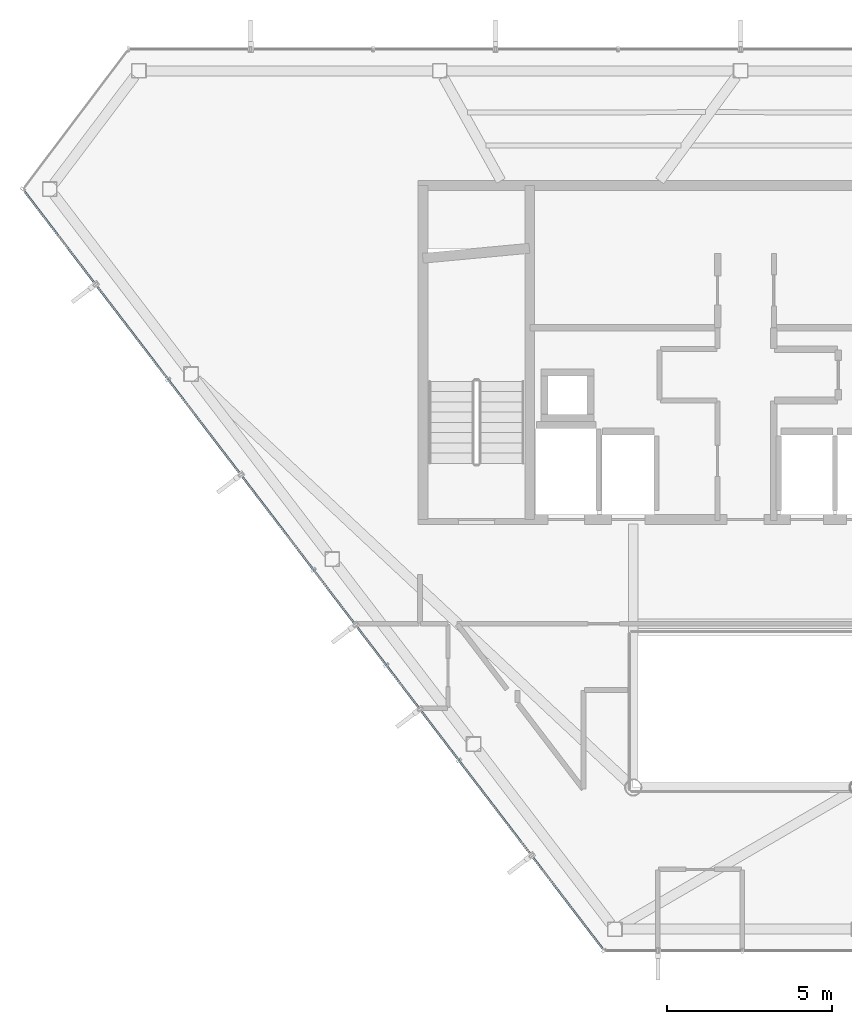
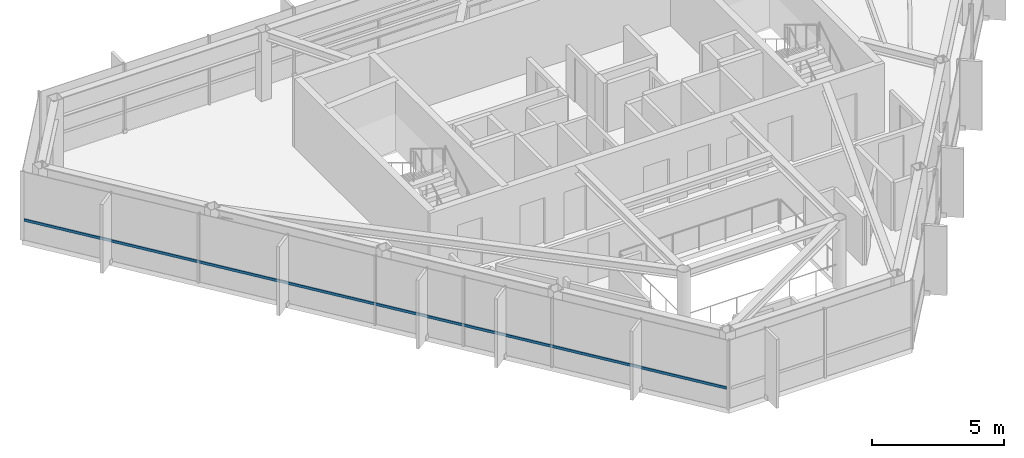
# One storey, part 4 of 22: 1 member, 1 element without a shape of its own.
"""IFC4 building model written with IfcOpenShell, lengths in metres."""

import ifcopenshell
import ifcopenshell.guid

model = None  # the IFC model being written
_history = None  # IfcOwnerHistory: only IFC2X3 demands one
_inside = {}  # id of a spatial element -> (the spatial element, [elements in it])
_under = {}  # id of a project, library or spatial element -> (it, [spatial elements below it])
_declared = {}  # id of a project -> (the project, [libraries it declares])
_typed = {}  # id of a type object -> (the type object, [elements of that type])
_made_of = {}  # id of a material, layer set ... -> (it, [elements and type objects made of it])


def new_model(schema):
    """Start an empty IFC model of exactly this schema.

    Asked for "IFC4X3", IfcOpenShell would pick the latest addendum, in which some entities
    have other attributes; the version numbers below select the first issue.
    IFC2X3 requires an IfcOwnerHistory on every rooted entity: one is made here for all.
    """
    global model, _history
    if schema == "IFC4X3":
        model = ifcopenshell.file(schema_version=(4, 3, 0, 0))
    else:
        model = ifcopenshell.file(schema=schema)
    _inside.clear()
    _under.clear()
    _declared.clear()
    _typed.clear()
    _made_of.clear()
    _history = None
    if model.schema == "IFC2X3":
        org = make("IfcOrganization", Name="unknown")
        user = make(
            "IfcPersonAndOrganization",
            ThePerson=make("IfcPerson", FamilyName="unknown"),
            TheOrganization=org,
        )
        app = make(
            "IfcApplication",
            ApplicationDeveloper=org,
            Version="unknown",
            ApplicationFullName="unknown",
            ApplicationIdentifier="unknown",
        )
        _history = make(
            "IfcOwnerHistory",
            OwningUser=user,
            OwningApplication=app,
            ChangeAction="ADDED",
            CreationDate=0,
        )
    return model


def make(cls, **values):
    """One entity of the class cls with the attributes given. An attribute that is None is left unset."""
    return model.create_entity(
        cls, **{name: value for name, value in values.items() if value is not None}
    )


def rooted(cls, **values):
    """An entity with a GlobalId (a new one), such as an element, a storey or a relation."""
    return make(cls, GlobalId=ifcopenshell.guid.new(), OwnerHistory=_history, **values)


def si_unit(unit_type, name, prefix=None):
    """IfcSIUnit, for example si_unit("LENGTHUNIT", "METRE", prefix="MILLI")."""
    return make("IfcSIUnit", UnitType=unit_type, Prefix=prefix, Name=name)


def assignment(units):
    """IfcUnitAssignment: the units of a project."""
    return None if units is None else make("IfcUnitAssignment", Units=units)


def point(xyz):
    """IfcCartesianPoint."""
    return None if xyz is None else make("IfcCartesianPoint", Coordinates=xyz)


def direction(xyz):
    """IfcDirection."""
    return None if xyz is None else make("IfcDirection", DirectionRatios=xyz)


def frame(location, z_axis=None, x_axis=None):
    """IfcAxis2Placement3D, a coordinate frame: its origin and axes. An axis left out is left unset."""
    return make(
        "IfcAxis2Placement3D",
        Location=point(location),
        Axis=direction(z_axis),
        RefDirection=direction(x_axis),
    )


def frame_2d(location, x_axis=None):
    """IfcAxis2Placement2D, a coordinate frame in the plane: its origin and x axis."""
    return make(
        "IfcAxis2Placement2D", Location=point(location), RefDirection=direction(x_axis)
    )


def origin():
    """The frame at (0, 0, 0) with its axes left unset."""
    return frame((0.0, 0.0, 0.0))


def origin_2d():
    """The frame at (0, 0) in the plane with its x axis left unset."""
    return frame_2d((0.0, 0.0))


def place(relative_to, where):
    """IfcLocalPlacement: puts the frame where relative to a parent placement (None: the world)."""
    return make(
        "IfcLocalPlacement", PlacementRelTo=relative_to, RelativePlacement=where
    )


def context(
    kind, dimensions, precision=None, world=None, true_north=None, identifier=None
):
    """IfcGeometricRepresentationContext, for example the 3D "Model" context."""
    return make(
        "IfcGeometricRepresentationContext",
        ContextIdentifier=identifier,
        ContextType=kind,
        CoordinateSpaceDimension=dimensions,
        Precision=precision,
        WorldCoordinateSystem=world,
        TrueNorth=true_north,
    )


def subcontext(parent, identifier, kind, view, scale=None):
    """IfcGeometricRepresentationSubContext, for example "Body" below "Model"."""
    return make(
        "IfcGeometricRepresentationSubContext",
        ContextIdentifier=identifier,
        ContextType=kind,
        ParentContext=parent,
        TargetScale=scale,
        TargetView=view,
    )


def project(units=None, contexts=None):
    """IfcProject with its units and contexts."""
    return rooted(
        "IfcProject",
        Name="project",
        RepresentationContexts=contexts,
        UnitsInContext=assignment(units),
    )


def spatial(cls, under=None, at=None, **own):
    """A site, building, storey or space (cls), placed at a placement, below another one or the project."""
    s = rooted(cls, ObjectPlacement=at, **own)
    if under is not None:
        _under.setdefault(under.id(), (under, []))[1].append(s)
    return s


def profile(cls, at=None, kind="AREA", **sizes):
    """A parametric profile (cls). Its sizes go by their IFC names, for example OverallWidth=200.0."""
    return make(cls, ProfileType=kind, Position=at, **sizes)


def hollow_rectangle(**sizes):
    """IfcRectangleHollowProfileDef."""
    return profile("IfcRectangleHollowProfileDef", **sizes)


def extrude(swept, where, along, depth):
    """IfcExtrudedAreaSolid: the profile swept, set in the frame where, extruded along a direction by depth."""
    return make(
        "IfcExtrudedAreaSolid",
        SweptArea=swept,
        Position=where,
        ExtrudedDirection=direction(along),
        Depth=depth,
    )


def shape(context_of_items, identifier, shape_type, items):
    """IfcShapeRepresentation: the items that make up one representation, for example the "Body"."""
    return make(
        "IfcShapeRepresentation",
        ContextOfItems=context_of_items,
        RepresentationIdentifier=identifier,
        RepresentationType=shape_type,
        Items=items,
    )


def material(Name=None, Category=None):
    """IfcMaterial."""
    return make("IfcMaterial", Name=Name, Category=Category)


def layer(
    of_material, thickness, ventilated=None, Name=None, Category=None, Priority=None
):
    """IfcMaterialLayer: one layer of a wall or slab, of a material (None: an air gap)."""
    return make(
        "IfcMaterialLayer",
        Material=of_material,
        LayerThickness=thickness,
        IsVentilated=ventilated,
        Name=Name,
        Category=Category,
        Priority=Priority,
    )


def layer_set(layers, Name=None):
    """IfcMaterialLayerSet."""
    return make("IfcMaterialLayerSet", MaterialLayers=layers, LayerSetName=Name)


def material_profile(
    of_material, cross_section, Name=None, Category=None, Priority=None
):
    """IfcMaterialProfile: a cross section and its material."""
    return make(
        "IfcMaterialProfile",
        Name=Name,
        Material=of_material,
        Profile=cross_section,
        Priority=Priority,
        Category=Category,
    )


def profile_set(profiles, Name=None, composite=None):
    """IfcMaterialProfileSet."""
    return make(
        "IfcMaterialProfileSet",
        Name=Name,
        MaterialProfiles=profiles,
        CompositeProfile=composite,
    )


def made_of(thing, what):
    """Note that an element or type object is made of a material, layer set ...; save() writes the relation."""
    if what is not None:
        _made_of.setdefault(what.id(), (what, []))[1].append(thing)
    return thing


def type_object(cls, material=None, **own):
    """A type object (cls), such as IfcWallType, which elements share."""
    return made_of(rooted(cls, **own), material)


def element(
    cls,
    number,
    at=None,
    inside=None,
    cuts=None,
    type_object=None,
    material=None,
    context=None,
    identifier="Body",
    shape_type=None,
    held_by="IfcProductDefinitionShape",
    body=None,
    shapes=None,
    **own,
):
    """One element of the class cls, such as IfcWall. Its Tag is "e" and its number.

    at: its placement. inside: the storey or other place that contains it. cuts: it is an
    opening in that element (IfcRelVoidsElement). A single representation is given by context,
    identifier, shape_type and body (its items); several are given by shapes. held_by: the class
    of the entity that holds the representations. save() writes the other relations.
    """
    e = rooted(cls, Tag="e%d" % number, ObjectPlacement=at, **own)
    if body is not None:
        shapes = [shape(context, identifier, shape_type, body)]
    if shapes is not None:
        e.Representation = make(held_by, Representations=shapes)
    if inside is not None:
        _inside.setdefault(inside.id(), (inside, []))[1].append(e)
    if cuts is not None:
        rooted(
            "IfcRelVoidsElement", RelatingBuildingElement=cuts, RelatedOpeningElement=e
        )
    if type_object is not None:
        _typed.setdefault(type_object.id(), (type_object, []))[1].append(e)
    return made_of(e, material)


def aggregate(whole, parts):
    """IfcRelAggregates: a whole, such as a stair, and the parts it consists of."""
    return rooted("IfcRelAggregates", RelatingObject=whole, RelatedObjects=parts)


def save(model, path):
    """Write the relations noted so far, then the file.

    IfcRelAggregates (storeys below a building ...), IfcRelContainedInSpatialStructure (elements
    in a storey), IfcRelDefinesByType, IfcRelAssociatesMaterial and IfcRelDeclares: one each for
    every whole, place, type object, material and project.
    """
    for whole, parts in _under.values():
        aggregate(whole, parts)
    for where, things in _inside.values():
        rooted(
            "IfcRelContainedInSpatialStructure",
            RelatedElements=things,
            RelatingStructure=where,
        )
    for kind, things in _typed.values():
        rooted("IfcRelDefinesByType", RelatedObjects=things, RelatingType=kind)
    for what, things in _made_of.values():
        rooted("IfcRelAssociatesMaterial", RelatedObjects=things, RelatingMaterial=what)
    for by, libraries in _declared.values():
        rooted("IfcRelDeclares", RelatingContext=by, RelatedDefinitions=libraries)
    model.write(path)


model = new_model("IFC4")

# Units and contexts
model_context = context("Model", 3, precision=1e-05, world=origin(), true_north=direction((0.0, 1.0)))
body_context = subcontext(model_context, "Body", "Model", "MODEL_VIEW")
ifc_project = project(units=[si_unit("LENGTHUNIT", "METRE"), si_unit("AREAUNIT", "SQUARE_METRE"), si_unit("VOLUMEUNIT", "CUBIC_METRE"), si_unit("PLANEANGLEUNIT", "RADIAN"), si_unit("MASSUNIT", "GRAM", prefix="KILO")], contexts=[model_context])

# Site, building, storey
site_placement = place(None, origin())
site = spatial("IfcSite", under=ifc_project, at=site_placement, CompositionType="ELEMENT")
building_placement = place(site_placement, origin())
building = spatial("IfcBuilding", under=site, at=building_placement, Name="Zarrinselat Tower", CompositionType="ELEMENT")
storey_placement = place(building_placement, frame((0.0, 0.0, 289.0)))
storey = spatial("IfcBuildingStorey", under=building, at=storey_placement, Name="L74", CompositionType="ELEMENT", Elevation=289.0)

# Curtain wall, member
ifc_material_1 = material(Name="Extruded Aluminium Alloy EN AW-6063 T6", Category="aluminium")
ifc_layer = layer(ifc_material_1, 0.169921875)
ifc_layer_set = layer_set([ifc_layer], Name="Extruded Aluminium Alloy EN AW-6063 T6")
curtain_wall_type = type_object("IfcCurtainWallType", Name="CWS-RES", PredefinedType="NOTDEFINED", material=ifc_layer_set)
curtain_wall_placement = place(storey_placement, origin())
curtain_wall = element("IfcCurtainWall", 1, at=curtain_wall_placement, inside=storey, type_object=curtain_wall_type, Name="L74 Unitised Curtain Wall CW-L74-E03", PredefinedType="NOTDEFINED")
ifc_material_2 = material(Name="Extruded Aluminium Alloy EN AW-6063 T6", Category="aluminium")
ifc_material_profile = material_profile(ifc_material_2, hollow_rectangle(XDim=0.06005859375, YDim=0.1201171875, WallThickness=0.00390625, at=origin_2d()), Name="RHS 120x60x4")
ifc_profile_set = profile_set([ifc_material_profile], Name="Extruded Aluminium Alloy EN AW-6063 T6")
member_type = type_object("IfcMemberType", Name="MEM-CW-TRN2", PredefinedType="USERDEFINED", material=ifc_profile_set)
member_placement = place(storey_placement, frame((16.599853515625, 43.216064453125, 0.949951171875), z_axis=(0.606798561208, -0.794855651119, 0.0), x_axis=(0.794855651119, 0.606798561208, 0.0)))
member = element("IfcMember", 2, at=member_placement, type_object=member_type, Name="CW-L74-E03 Transom 1", ObjectType="TRANSOM", PredefinedType="USERDEFINED", context=body_context, shape_type="SweptSolid", body=[
    extrude(hollow_rectangle(XDim=0.06005859375, YDim=0.1201171875, WallThickness=0.00390625, at=origin_2d()), origin(), (0.0, 0.0, 1.0), 28.78564453125),
])
aggregate(curtain_wall, [member])

save(model, "model.ifc")
